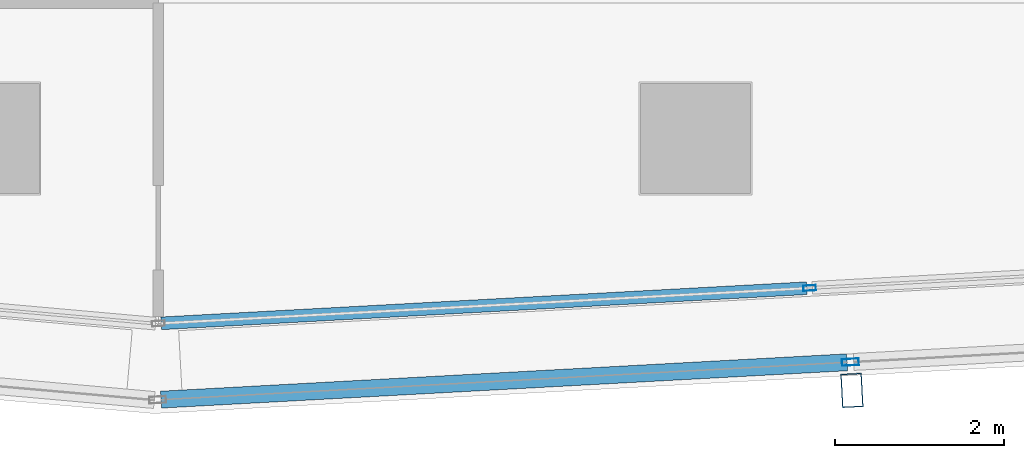
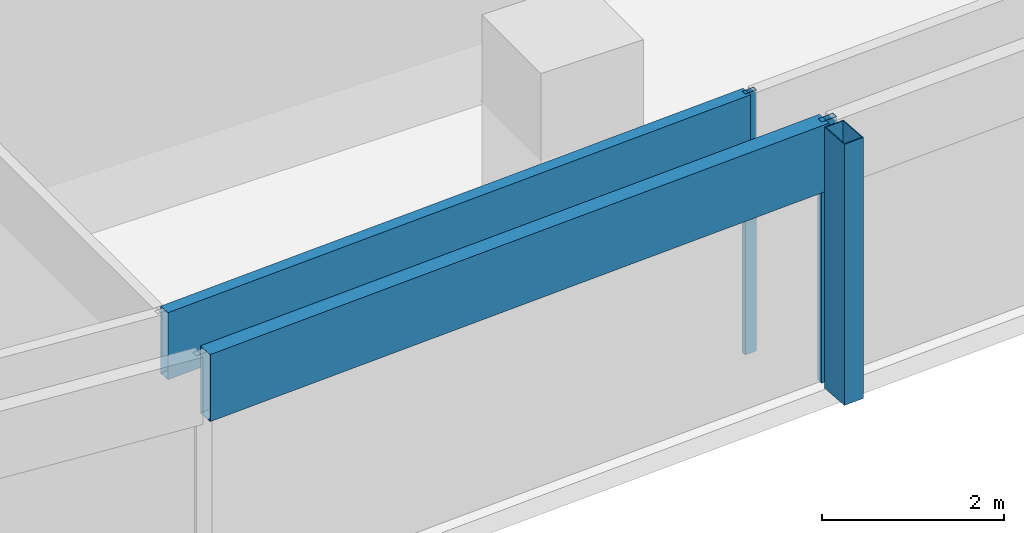
# One storey, part 6 of 29: 5 members, 2 elements without a shape of their own.
"""IFC4 building model written with IfcOpenShell, lengths in metres."""

import ifcopenshell
import ifcopenshell.guid

model = None  # the IFC model being written
_history = None  # IfcOwnerHistory: only IFC2X3 demands one
_inside = {}  # id of a spatial element -> (the spatial element, [elements in it])
_under = {}  # id of a project, library or spatial element -> (it, [spatial elements below it])
_declared = {}  # id of a project -> (the project, [libraries it declares])
_typed = {}  # id of a type object -> (the type object, [elements of that type])
_made_of = {}  # id of a material, layer set ... -> (it, [elements and type objects made of it])


def new_model(schema):
    """Start an empty IFC model of exactly this schema.

    Asked for "IFC4X3", IfcOpenShell would pick the latest addendum, in which some entities
    have other attributes; the version numbers below select the first issue.
    IFC2X3 requires an IfcOwnerHistory on every rooted entity: one is made here for all.
    """
    global model, _history
    if schema == "IFC4X3":
        model = ifcopenshell.file(schema_version=(4, 3, 0, 0))
    else:
        model = ifcopenshell.file(schema=schema)
    _inside.clear()
    _under.clear()
    _declared.clear()
    _typed.clear()
    _made_of.clear()
    _history = None
    if model.schema == "IFC2X3":
        org = make("IfcOrganization", Name="unknown")
        user = make(
            "IfcPersonAndOrganization",
            ThePerson=make("IfcPerson", FamilyName="unknown"),
            TheOrganization=org,
        )
        app = make(
            "IfcApplication",
            ApplicationDeveloper=org,
            Version="unknown",
            ApplicationFullName="unknown",
            ApplicationIdentifier="unknown",
        )
        _history = make(
            "IfcOwnerHistory",
            OwningUser=user,
            OwningApplication=app,
            ChangeAction="ADDED",
            CreationDate=0,
        )
    return model


def make(cls, **values):
    """One entity of the class cls with the attributes given. An attribute that is None is left unset."""
    return model.create_entity(
        cls, **{name: value for name, value in values.items() if value is not None}
    )


def rooted(cls, **values):
    """An entity with a GlobalId (a new one), such as an element, a storey or a relation."""
    return make(cls, GlobalId=ifcopenshell.guid.new(), OwnerHistory=_history, **values)


def si_unit(unit_type, name, prefix=None):
    """IfcSIUnit, for example si_unit("LENGTHUNIT", "METRE", prefix="MILLI")."""
    return make("IfcSIUnit", UnitType=unit_type, Prefix=prefix, Name=name)


def assignment(units):
    """IfcUnitAssignment: the units of a project."""
    return None if units is None else make("IfcUnitAssignment", Units=units)


def point(xyz):
    """IfcCartesianPoint."""
    return None if xyz is None else make("IfcCartesianPoint", Coordinates=xyz)


def direction(xyz):
    """IfcDirection."""
    return None if xyz is None else make("IfcDirection", DirectionRatios=xyz)


def frame(location, z_axis=None, x_axis=None):
    """IfcAxis2Placement3D, a coordinate frame: its origin and axes. An axis left out is left unset."""
    return make(
        "IfcAxis2Placement3D",
        Location=point(location),
        Axis=direction(z_axis),
        RefDirection=direction(x_axis),
    )


def frame_2d(location, x_axis=None):
    """IfcAxis2Placement2D, a coordinate frame in the plane: its origin and x axis."""
    return make(
        "IfcAxis2Placement2D", Location=point(location), RefDirection=direction(x_axis)
    )


def origin():
    """The frame at (0, 0, 0) with its axes left unset."""
    return frame((0.0, 0.0, 0.0))


def origin_2d():
    """The frame at (0, 0) in the plane with its x axis left unset."""
    return frame_2d((0.0, 0.0))


def place(relative_to, where):
    """IfcLocalPlacement: puts the frame where relative to a parent placement (None: the world)."""
    return make(
        "IfcLocalPlacement", PlacementRelTo=relative_to, RelativePlacement=where
    )


def context(
    kind, dimensions, precision=None, world=None, true_north=None, identifier=None
):
    """IfcGeometricRepresentationContext, for example the 3D "Model" context."""
    return make(
        "IfcGeometricRepresentationContext",
        ContextIdentifier=identifier,
        ContextType=kind,
        CoordinateSpaceDimension=dimensions,
        Precision=precision,
        WorldCoordinateSystem=world,
        TrueNorth=true_north,
    )


def subcontext(parent, identifier, kind, view, scale=None):
    """IfcGeometricRepresentationSubContext, for example "Body" below "Model"."""
    return make(
        "IfcGeometricRepresentationSubContext",
        ContextIdentifier=identifier,
        ContextType=kind,
        ParentContext=parent,
        TargetScale=scale,
        TargetView=view,
    )


def project(units=None, contexts=None):
    """IfcProject with its units and contexts."""
    return rooted(
        "IfcProject",
        Name="project",
        RepresentationContexts=contexts,
        UnitsInContext=assignment(units),
    )


def spatial(cls, under=None, at=None, **own):
    """A site, building, storey or space (cls), placed at a placement, below another one or the project."""
    s = rooted(cls, ObjectPlacement=at, **own)
    if under is not None:
        _under.setdefault(under.id(), (under, []))[1].append(s)
    return s


def profile(cls, at=None, kind="AREA", **sizes):
    """A parametric profile (cls). Its sizes go by their IFC names, for example OverallWidth=200.0."""
    return make(cls, ProfileType=kind, Position=at, **sizes)


def hollow_rectangle(**sizes):
    """IfcRectangleHollowProfileDef."""
    return profile("IfcRectangleHollowProfileDef", **sizes)


def extrude(swept, where, along, depth):
    """IfcExtrudedAreaSolid: the profile swept, set in the frame where, extruded along a direction by depth."""
    return make(
        "IfcExtrudedAreaSolid",
        SweptArea=swept,
        Position=where,
        ExtrudedDirection=direction(along),
        Depth=depth,
    )


def shape(context_of_items, identifier, shape_type, items):
    """IfcShapeRepresentation: the items that make up one representation, for example the "Body"."""
    return make(
        "IfcShapeRepresentation",
        ContextOfItems=context_of_items,
        RepresentationIdentifier=identifier,
        RepresentationType=shape_type,
        Items=items,
    )


def material(Name=None, Category=None):
    """IfcMaterial."""
    return make("IfcMaterial", Name=Name, Category=Category)


def material_profile(
    of_material, cross_section, Name=None, Category=None, Priority=None
):
    """IfcMaterialProfile: a cross section and its material."""
    return make(
        "IfcMaterialProfile",
        Name=Name,
        Material=of_material,
        Profile=cross_section,
        Priority=Priority,
        Category=Category,
    )


def profile_set(profiles, Name=None, composite=None):
    """IfcMaterialProfileSet."""
    return make(
        "IfcMaterialProfileSet",
        Name=Name,
        MaterialProfiles=profiles,
        CompositeProfile=composite,
    )


def made_of(thing, what):
    """Note that an element or type object is made of a material, layer set ...; save() writes the relation."""
    if what is not None:
        _made_of.setdefault(what.id(), (what, []))[1].append(thing)
    return thing


def type_object(cls, material=None, **own):
    """A type object (cls), such as IfcWallType, which elements share."""
    return made_of(rooted(cls, **own), material)


def element(
    cls,
    number,
    at=None,
    inside=None,
    cuts=None,
    type_object=None,
    material=None,
    context=None,
    identifier="Body",
    shape_type=None,
    held_by="IfcProductDefinitionShape",
    body=None,
    shapes=None,
    **own,
):
    """One element of the class cls, such as IfcWall. Its Tag is "e" and its number.

    at: its placement. inside: the storey or other place that contains it. cuts: it is an
    opening in that element (IfcRelVoidsElement). A single representation is given by context,
    identifier, shape_type and body (its items); several are given by shapes. held_by: the class
    of the entity that holds the representations. save() writes the other relations.
    """
    e = rooted(cls, Tag="e%d" % number, ObjectPlacement=at, **own)
    if body is not None:
        shapes = [shape(context, identifier, shape_type, body)]
    if shapes is not None:
        e.Representation = make(held_by, Representations=shapes)
    if inside is not None:
        _inside.setdefault(inside.id(), (inside, []))[1].append(e)
    if cuts is not None:
        rooted(
            "IfcRelVoidsElement", RelatingBuildingElement=cuts, RelatedOpeningElement=e
        )
    if type_object is not None:
        _typed.setdefault(type_object.id(), (type_object, []))[1].append(e)
    return made_of(e, material)


def aggregate(whole, parts):
    """IfcRelAggregates: a whole, such as a stair, and the parts it consists of."""
    return rooted("IfcRelAggregates", RelatingObject=whole, RelatedObjects=parts)


def save(model, path):
    """Write the relations noted so far, then the file.

    IfcRelAggregates (storeys below a building ...), IfcRelContainedInSpatialStructure (elements
    in a storey), IfcRelDefinesByType, IfcRelAssociatesMaterial and IfcRelDeclares: one each for
    every whole, place, type object, material and project.
    """
    for whole, parts in _under.values():
        aggregate(whole, parts)
    for where, things in _inside.values():
        rooted(
            "IfcRelContainedInSpatialStructure",
            RelatedElements=things,
            RelatingStructure=where,
        )
    for kind, things in _typed.values():
        rooted("IfcRelDefinesByType", RelatedObjects=things, RelatingType=kind)
    for what, things in _made_of.values():
        rooted("IfcRelAssociatesMaterial", RelatedObjects=things, RelatingMaterial=what)
    for by, libraries in _declared.values():
        rooted("IfcRelDeclares", RelatingContext=by, RelatedDefinitions=libraries)
    model.write(path)


model = new_model("IFC4")

# Units and contexts
model_context = context("Model", 3, precision=1e-05, world=origin(), true_north=direction((0.0, 1.0)))
body_context = subcontext(model_context, "Body", "Model", "MODEL_VIEW")
ifc_project = project(units=[si_unit("LENGTHUNIT", "METRE"), si_unit("AREAUNIT", "SQUARE_METRE"), si_unit("VOLUMEUNIT", "CUBIC_METRE"), si_unit("PLANEANGLEUNIT", "RADIAN"), si_unit("MASSUNIT", "GRAM", prefix="KILO")], contexts=[model_context])

# Site, building, storey
site_placement = place(None, origin())
site = spatial("IfcSite", under=ifc_project, at=site_placement, CompositionType="ELEMENT")
building_placement = place(site_placement, origin())
building = spatial("IfcBuilding", under=site, at=building_placement, Name="Rekha Terrace Tower", CompositionType="ELEMENT")
storey_placement = place(building_placement, frame((0.0, 0.0, 257.60009765625)))
storey = spatial("IfcBuildingStorey", under=building, at=storey_placement, Name="L65", CompositionType="ELEMENT", Elevation=257.60009765625)

# Curtain wall, member
ifc_material_1 = material(Name="Aluminium framing", Category="aluminium")
curtain_wall_type_1 = type_object("IfcCurtainWallType", Name="CW2 double skin outer glazing", PredefinedType="USERDEFINED", material=ifc_material_1)
curtain_wall_1_placement = place(storey_placement, origin())
curtain_wall_1 = element("IfcCurtainWall", 1, at=curtain_wall_1_placement, inside=storey, type_object=curtain_wall_type_1, Name="CW2 double skin outer glazing", ObjectType="DOUBLE SKIN OUTER GLAZING", PredefinedType="USERDEFINED")
ifc_material_2 = material(Name="Steel S355 with fluorocarbon finish", Category="steel")
ifc_material_profile_1 = material_profile(ifc_material_2, hollow_rectangle(XDim=0.25, YDim=0.39990234375, WallThickness=0.012451171875, at=origin_2d()), Name="RHS400x250x12.5")
ifc_profile_set_1 = profile_set([ifc_material_profile_1], Name="Steel S355 with fluorocarbon finish")
member_type_1 = type_object("IfcMemberType", Name="BL1 facade blade RHS 400 x 250", PredefinedType="USERDEFINED", material=ifc_profile_set_1)
member_1_placement = place(storey_placement, frame((35.4482421875, 13.82373046875, 0.0), z_axis=(0.0, 0.0, 1.0), x_axis=(0.99851982155, 0.054389024366, 0.0)))
member_1 = element("IfcMember", 2, at=member_1_placement, type_object=member_type_1, Name="Facade blade", ObjectType="FACADE BLADE", PredefinedType="USERDEFINED", context=body_context, shape_type="SweptSolid", body=[
    extrude(hollow_rectangle(XDim=0.25, YDim=0.39990234375, WallThickness=0.012451171875, at=origin_2d()), origin(), (0.0, 0.0, 1.0), 3.5),
])

# Curtain wall, members
curtain_wall_type_2 = type_object("IfcCurtainWallType", Name="CW1 double skin inner glazing", PredefinedType="USERDEFINED", material=ifc_material_1)
curtain_wall_2_placement = place(storey_placement, origin())
curtain_wall_2 = element("IfcCurtainWall", 3, at=curtain_wall_2_placement, inside=storey, type_object=curtain_wall_type_2, Name="CW1 double skin inner glazing", ObjectType="DOUBLE SKIN INNER GLAZING", PredefinedType="USERDEFINED")
ifc_material_3 = material(Name="Aluminium mullion section", Category="aluminium")
ifc_material_profile_2 = material_profile(ifc_material_3, hollow_rectangle(XDim=0.06494140625, YDim=0.14990234375, WallThickness=0.00390625, at=origin_2d()), Name="AL RHS 65x150")
ifc_profile_set_2 = profile_set([ifc_material_profile_2], Name="Aluminium mullion section")
member_type_2 = type_object("IfcMemberType", Name="CW1 mullion RHS 65 x 150", PredefinedType="MULLION", material=ifc_profile_set_2)
member_2_placement = place(storey_placement, frame((34.94775390625, 15.033447265625, 0.0), z_axis=(0.0, 0.0, 1.0), x_axis=(-0.054388903036, 0.998519828159, 0.0)))
member_2 = element("IfcMember", 4, at=member_2_placement, type_object=member_type_2, Name="CW1 mullion 2", PredefinedType="MULLION", context=body_context, shape_type="SweptSolid", body=[
    extrude(hollow_rectangle(XDim=0.06494140625, YDim=0.14990234375, WallThickness=0.00390625, at=origin_2d()), origin(), (0.0, 0.0, 1.0), 3.5),
])
ifc_material_4 = material(Name="Insulated aluminium spandrel box", Category="aluminium")
ifc_material_profile_3 = material_profile(ifc_material_4, hollow_rectangle(XDim=0.14990234375, YDim=0.89990234375, WallThickness=0.0029296875, at=origin_2d()), Name="AL SPANDREL BOX 150x900")
ifc_profile_set_3 = profile_set([ifc_material_profile_3], Name="Insulated aluminium spandrel box")
member_type_3 = type_object("IfcMemberType", Name="CW1 spandrel transom 150 x 900", PredefinedType="USERDEFINED", material=ifc_profile_set_3)
member_3_placement = place(storey_placement, frame((27.287109375, 14.6162109375, 3.0498046875), z_axis=(0.998521390426, 0.054360213958, 0.0), x_axis=(-0.054360213958, 0.998521390426, 0.0)))
member_3 = element("IfcMember", 5, at=member_3_placement, type_object=member_type_3, Name="CW1 spandrel transom 1", ObjectType="TRANSOM", PredefinedType="USERDEFINED", context=body_context, shape_type="SweptSolid", body=[
    extrude(hollow_rectangle(XDim=0.14990234375, YDim=0.89990234375, WallThickness=0.0029296875, at=origin_2d()), origin(), (0.0, 0.0, 1.0), 7.639404296875),
])
aggregate(curtain_wall_2, [member_2, member_3])

# Member
ifc_material_profile_4 = material_profile(ifc_material_3, hollow_rectangle(XDim=0.080078125, YDim=0.199951171875, WallThickness=0.00390625, at=origin_2d()), Name="AL RHS 80x200")
ifc_profile_set_4 = profile_set([ifc_material_profile_4], Name="Aluminium mullion section")
member_type_4 = type_object("IfcMemberType", Name="CW2 mullion RHS 80 x 200", PredefinedType="MULLION", material=ifc_profile_set_4)
member_4_placement = place(storey_placement, frame((35.429931640625, 14.158203125, 0.0), z_axis=(0.0, 0.0, 1.0), x_axis=(-0.054388903071, 0.998519828157, 0.0)))
member_4 = element("IfcMember", 6, at=member_4_placement, type_object=member_type_4, Name="CW2 mullion 2", PredefinedType="MULLION", context=body_context, shape_type="SweptSolid", body=[
    extrude(hollow_rectangle(XDim=0.080078125, YDim=0.199951171875, WallThickness=0.00390625, at=origin_2d()), origin(), (0.0, 0.0, 1.0), 3.5),
])

ifc_material_profile_5 = material_profile(ifc_material_4, hollow_rectangle(XDim=0.199951171875, YDim=0.89990234375, WallThickness=0.0029296875, at=origin_2d()), Name="AL SPANDREL BOX 200x900")
ifc_profile_set_5 = profile_set([ifc_material_profile_5], Name="Insulated aluminium spandrel box")
member_type_5 = type_object("IfcMemberType", Name="CW2 spandrel transom 200 x 900", PredefinedType="USERDEFINED", material=ifc_profile_set_5)
member_5_placement = place(storey_placement, frame((27.28662109375, 13.71484375, 3.0498046875), z_axis=(0.998521383998, 0.054360332034, 0.0), x_axis=(-0.054360332034, 0.998521383998, 0.0)))
member_5 = element("IfcMember", 7, at=member_5_placement, type_object=member_type_5, Name="CW2 spandrel transom 1", ObjectType="TRANSOM", PredefinedType="USERDEFINED", context=body_context, shape_type="SweptSolid", body=[
    extrude(hollow_rectangle(XDim=0.199951171875, YDim=0.89990234375, WallThickness=0.0029296875, at=origin_2d()), origin(), (0.0, 0.0, 1.0), 8.115478515625),
])

aggregate(curtain_wall_1, [member_4, member_5, member_1])

save(model, "model.ifc")
